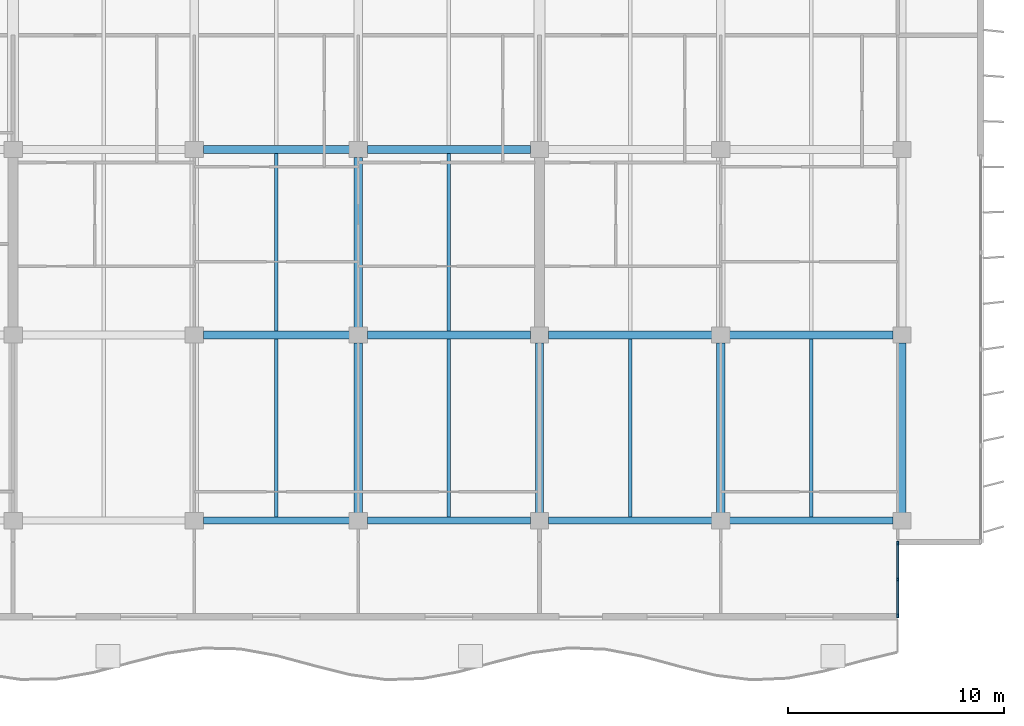
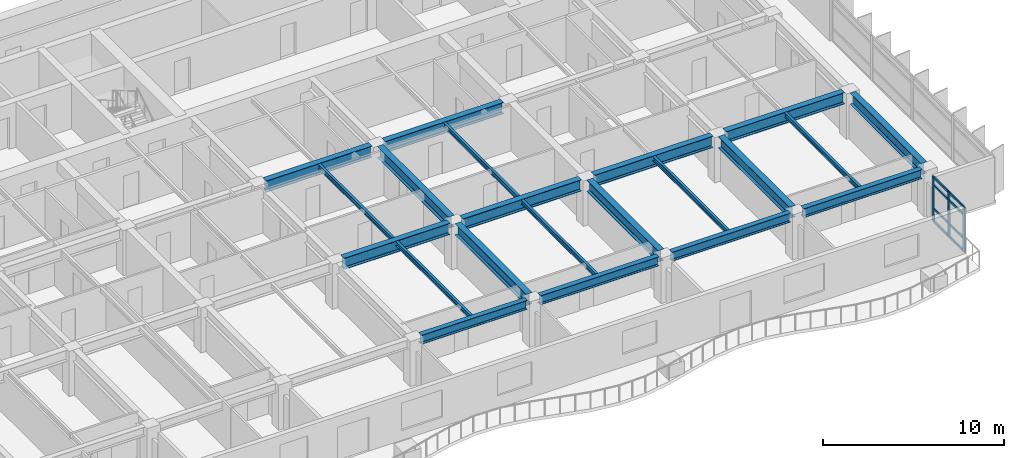
# One storey, part 3 of 16: 21 beams, 11 members, 1 element without a shape of its own.
"""IFC4 building model written with IfcOpenShell, lengths in metres."""

from ifc_helpers import new_model, si_unit, direction, frame, origin, origin_2d, place, context, subcontext, project, spatial, rectangle, i_section, extrude, material, layer, layer_set, material_profile, profile_set, type_object, element, aggregate, save


model = new_model("IFC4")

# Units and contexts
model_context = context("Model", 3, precision=1e-05, world=origin(), true_north=direction((0.0, 1.0)))
body_context = subcontext(model_context, "Body", "Model", "MODEL_VIEW")
ifc_project = project(units=[si_unit("LENGTHUNIT", "METRE"), si_unit("AREAUNIT", "SQUARE_METRE"), si_unit("VOLUMEUNIT", "CUBIC_METRE"), si_unit("PLANEANGLEUNIT", "RADIAN"), si_unit("MASSUNIT", "GRAM", prefix="KILO")], contexts=[model_context])

# Site, building, storey
site_placement = place(None, origin())
site = spatial("IfcSite", under=ifc_project, at=site_placement, CompositionType="ELEMENT")
building_placement = place(site_placement, origin())
building = spatial("IfcBuilding", under=site, at=building_placement, Name="Caelmar Bay Residences", CompositionType="ELEMENT")
storey_placement = place(building_placement, frame((0.0, 0.0, 198.300048828125)))
storey = spatial("IfcBuildingStorey", under=building, at=storey_placement, Name="L55", CompositionType="ELEMENT", Elevation=198.300048828125)

# Beams
ifc_material_1 = material(Name="Steel ASTM A992 Grade 50", Category="steel")
ifc_material_profile_1 = material_profile(ifc_material_1, i_section(OverallWidth=0.381103515625, OverallDepth=0.77197265625, WebThickness=0.0166015625, FlangeThickness=0.027099609375, FilletRadius=0.0166015625, at=origin_2d()), Name="W30X173")
ifc_profile_set_1 = profile_set([ifc_material_profile_1], Name="Steel ASTM A992 Grade 50")
beam_type_1 = type_object("IfcBeamType", Name="BM-GRD-W30X173", PredefinedType="BEAM", material=ifc_profile_set_1)
beam_1_placement = place(storey_placement, frame((35.514892578125, 20.800048828125, 2.6640625), z_axis=(1.0, 0.0, 0.0), x_axis=(0.0, 1.0, 0.0)))
element("IfcBeam", 1, at=beam_1_placement, inside=storey, type_object=beam_type_1, Name="L55 East-West Girder Y=20.80 (35.1-42.7)", PredefinedType="BEAM", context=body_context, shape_type="SweptSolid", body=[
    extrude(i_section(OverallWidth=0.381103515625, OverallDepth=0.77197265625, WebThickness=0.0166015625, FlangeThickness=0.027099609375, FilletRadius=0.0166015625, at=origin_2d()), origin(), (0.0, 0.0, 1.0), 6.77001953125),
])
for number, where, z_axis, x_axis, name in (
    (2, (43.114990234375, 20.800048828125, 2.6640625), (1.0, 0.0, 0.0), (0.0, 1.0, 0.0), "L55 East-West Girder Y=20.80 (42.7-51.1)"),
    (3, (51.514892578125, 20.800048828125, 2.6640625), (1.0, 0.0, 0.0), (0.0, 1.0, 0.0), "L55 East-West Girder Y=20.80 (51.1-59.5)"),
    (4, (59.9150390625, 20.800048828125, 2.6640625), (1.0, 0.0, 0.0), (0.0, 1.0, 0.0), "L55 East-West Girder Y=20.80 (59.5-67.9)"),
):
    element("IfcBeam", number, at=place(storey_placement, frame(where, z_axis=z_axis, x_axis=x_axis)), inside=storey, type_object=beam_type_1, Name=name, PredefinedType="BEAM", context=body_context, shape_type="SweptSolid", body=[
        extrude(i_section(OverallWidth=0.381103515625, OverallDepth=0.77197265625, WebThickness=0.0166015625, FlangeThickness=0.027099609375, FilletRadius=0.0166015625, at=origin_2d()), origin(), (0.0, 0.0, 1.0), 7.570068359375),
    ])
beam_2_placement = place(storey_placement, frame((35.514892578125, 29.39990234375, 2.6640625), z_axis=(1.0, 0.0, 0.0), x_axis=(0.0, 1.0, 0.0)))
element("IfcBeam", 5, at=beam_2_placement, inside=storey, type_object=beam_type_1, Name="L55 East-West Girder Y=29.40 (35.1-42.7)", PredefinedType="BEAM", context=body_context, shape_type="SweptSolid", body=[
    extrude(i_section(OverallWidth=0.381103515625, OverallDepth=0.77197265625, WebThickness=0.0166015625, FlangeThickness=0.027099609375, FilletRadius=0.0166015625, at=origin_2d()), origin(), (0.0, 0.0, 1.0), 6.77001953125),
])
beam_3_placement = place(storey_placement, frame((43.114990234375, 29.39990234375, 2.6640625), z_axis=(1.0, 0.0, 0.0), x_axis=(0.0, 1.0, 0.0)))
element("IfcBeam", 6, at=beam_3_placement, inside=storey, type_object=beam_type_1, Name="L55 East-West Girder Y=29.40 (42.7-51.1)", PredefinedType="BEAM", context=body_context, shape_type="SweptSolid", body=[
    extrude(i_section(OverallWidth=0.381103515625, OverallDepth=0.77197265625, WebThickness=0.0166015625, FlangeThickness=0.027099609375, FilletRadius=0.0166015625, at=origin_2d()), origin(), (0.0, 0.0, 1.0), 7.570068359375),
])
beam_4_placement = place(storey_placement, frame((42.699951171875, 12.56494140625, 2.6640625), z_axis=(0.0, 1.0, 0.0), x_axis=(-1.0, 0.0, 0.0)))
element("IfcBeam", 7, at=beam_4_placement, inside=storey, type_object=beam_type_1, Name="L55 North-South Girder X=42.70 (12.2-20.8)", PredefinedType="BEAM", context=body_context, shape_type="SweptSolid", body=[
    extrude(i_section(OverallWidth=0.381103515625, OverallDepth=0.77197265625, WebThickness=0.0166015625, FlangeThickness=0.027099609375, FilletRadius=0.0166015625, at=origin_2d()), origin(), (0.0, 0.0, 1.0), 7.8701171875),
])
beam_5_placement = place(storey_placement, frame((42.699951171875, 21.1650390625, 2.6640625), z_axis=(0.0, 1.0, 0.0), x_axis=(-1.0, 0.0, 0.0)))
element("IfcBeam", 8, at=beam_5_placement, inside=storey, type_object=beam_type_1, Name="L55 North-South Girder X=42.70 (20.8-29.4)", PredefinedType="BEAM", context=body_context, shape_type="SweptSolid", body=[
    extrude(i_section(OverallWidth=0.381103515625, OverallDepth=0.77197265625, WebThickness=0.0166015625, FlangeThickness=0.027099609375, FilletRadius=0.0166015625, at=origin_2d()), origin(), (0.0, 0.0, 1.0), 7.869873046875),
])
for number, where, z_axis, x_axis, name in (
    (9, (51.10009765625, 12.56494140625, 2.6640625), (0.0, 1.0, 0.0), (-1.0, 0.0, 0.0), "L55 North-South Girder X=51.10 (12.2-20.8)"),
    (10, (59.5, 12.56494140625, 2.6640625), (0.0, 1.0, 0.0), (-1.0, 0.0, 0.0), "L55 North-South Girder X=59.50 (12.2-20.8)"),
    (11, (67.89990234375, 12.56494140625, 2.6640625), (0.0, 1.0, 0.0), (-1.0, 0.0, 0.0), "L55 North-South Girder X=67.90 (12.2-20.8)"),
):
    element("IfcBeam", number, at=place(storey_placement, frame(where, z_axis=z_axis, x_axis=x_axis)), inside=storey, type_object=beam_type_1, Name=name, PredefinedType="BEAM", context=body_context, shape_type="SweptSolid", body=[
        extrude(i_section(OverallWidth=0.381103515625, OverallDepth=0.77197265625, WebThickness=0.0166015625, FlangeThickness=0.027099609375, FilletRadius=0.0166015625, at=origin_2d()), origin(), (0.0, 0.0, 1.0), 7.8701171875),
    ])
ifc_material_profile_2 = material_profile(ifc_material_1, i_section(OverallWidth=0.1650390625, OverallDepth=0.31005859375, WebThickness=0.005859375, FlangeThickness=0.009765625, FilletRadius=0.007568359375, at=origin_2d()), Name="W12X26")
ifc_profile_set_2 = profile_set([ifc_material_profile_2], Name="Steel ASTM A992 Grade 50")
beam_type_2 = type_object("IfcBeamType", Name="BM-JST-W12X26", PredefinedType="JOIST", material=ifc_profile_set_2)
for number, where, z_axis, x_axis, name in (
    (12, (38.89990234375, 12.362548828125, 2.89501953125), (0.0, 1.0, 0.0), (-1.0, 0.0, 0.0), "L55 Composite Floor Joist 4"),
    (13, (46.89990234375, 12.362548828125, 2.89501953125), (0.0, 1.0, 0.0), (-1.0, 0.0, 0.0), "L55 Composite Floor Joist 5"),
    (14, (55.300048828125, 12.362548828125, 2.89501953125), (0.0, 1.0, 0.0), (-1.0, 0.0, 0.0), "L55 Composite Floor Joist 6"),
    (15, (63.699951171875, 12.362548828125, 2.89501953125), (0.0, 1.0, 0.0), (-1.0, 0.0, 0.0), "L55 Composite Floor Joist 7"),
):
    element("IfcBeam", number, at=place(storey_placement, frame(where, z_axis=z_axis, x_axis=x_axis)), inside=storey, type_object=beam_type_2, Name=name, PredefinedType="JOIST", context=body_context, shape_type="SweptSolid", body=[
        extrude(i_section(OverallWidth=0.1650390625, OverallDepth=0.31005859375, WebThickness=0.005859375, FlangeThickness=0.009765625, FilletRadius=0.007568359375, at=origin_2d()), origin(), (0.0, 0.0, 1.0), 8.2470703125),
    ])
for number, where, z_axis, x_axis, name in (
    (16, (38.89990234375, 20.990478515625, 2.89501953125), (0.0, 1.0, 0.0), (-1.0, 0.0, 0.0), "L55 Composite Floor Joist 11"),
    (17, (46.89990234375, 20.990478515625, 2.89501953125), (0.0, 1.0, 0.0), (-1.0, 0.0, 0.0), "L55 Composite Floor Joist 12"),
):
    element("IfcBeam", number, at=place(storey_placement, frame(where, z_axis=z_axis, x_axis=x_axis)), inside=storey, type_object=beam_type_2, Name=name, PredefinedType="JOIST", context=body_context, shape_type="SweptSolid", body=[
        extrude(i_section(OverallWidth=0.1650390625, OverallDepth=0.31005859375, WebThickness=0.005859375, FlangeThickness=0.009765625, FilletRadius=0.007568359375, at=origin_2d()), origin(), (0.0, 0.0, 1.0), 8.218994140625),
    ])
ifc_material_profile_3 = material_profile(ifc_material_1, i_section(OverallWidth=0.324951171875, OverallDepth=0.616943359375, WebThickness=0.013916015625, FlangeThickness=0.021484375, FilletRadius=0.0126953125, at=origin_2d()), Name="W24X117")
ifc_profile_set_3 = profile_set([ifc_material_profile_3], Name="Steel ASTM A992 Grade 50")
beam_type_3 = type_object("IfcBeamType", Name="BM-SPN-W24X117", PredefinedType="SPANDREL", material=ifc_profile_set_3)
beam_6_placement = place(storey_placement, frame((35.514892578125, 12.199951171875, 2.741455078125), z_axis=(1.0, 0.0, 0.0), x_axis=(0.0, 1.0, 0.0)))
element("IfcBeam", 18, at=beam_6_placement, inside=storey, type_object=beam_type_3, Name="L55 East-West Girder Y=12.20 (35.1-42.7)", PredefinedType="SPANDREL", context=body_context, shape_type="SweptSolid", body=[
    extrude(i_section(OverallWidth=0.324951171875, OverallDepth=0.616943359375, WebThickness=0.013916015625, FlangeThickness=0.021484375, FilletRadius=0.0126953125, at=origin_2d()), origin(), (0.0, 0.0, 1.0), 6.77001953125),
])
for number, where, z_axis, x_axis, name in (
    (19, (43.114990234375, 12.199951171875, 2.741455078125), (1.0, 0.0, 0.0), (0.0, 1.0, 0.0), "L55 East-West Girder Y=12.20 (42.7-51.1)"),
    (20, (51.514892578125, 12.199951171875, 2.741455078125), (1.0, 0.0, 0.0), (0.0, 1.0, 0.0), "L55 East-West Girder Y=12.20 (51.1-59.5)"),
    (21, (59.9150390625, 12.199951171875, 2.741455078125), (1.0, 0.0, 0.0), (0.0, 1.0, 0.0), "L55 East-West Girder Y=12.20 (59.5-67.9)"),
):
    element("IfcBeam", number, at=place(storey_placement, frame(where, z_axis=z_axis, x_axis=x_axis)), inside=storey, type_object=beam_type_3, Name=name, PredefinedType="SPANDREL", context=body_context, shape_type="SweptSolid", body=[
        extrude(i_section(OverallWidth=0.324951171875, OverallDepth=0.616943359375, WebThickness=0.013916015625, FlangeThickness=0.021484375, FilletRadius=0.0126953125, at=origin_2d()), origin(), (0.0, 0.0, 1.0), 7.570068359375),
    ])

# Curtain wall, members
ifc_material_2 = material(Name="Anodised bronze aluminium 6063-T6 and laminated glass", Category="aluminium")
ifc_layer = layer(ifc_material_2, 0.179931640625)
ifc_layer_set = layer_set([ifc_layer], Name="Anodised bronze aluminium 6063-T6 and laminated glass")
curtain_wall_type = type_object("IfcCurtainWallType", Name="CW6-NTC", PredefinedType="NOTDEFINED", material=ifc_layer_set)
curtain_wall_placement = place(storey_placement, origin())
curtain_wall = element("IfcCurtainWall", 22, at=curtain_wall_placement, inside=storey, type_object=curtain_wall_type, Name="CW6 curtain wall L55", PredefinedType="NOTDEFINED")
ifc_material_3 = material(Name="Anodised bronze aluminium 6063-T6", Category="aluminium")
ifc_material_profile_4 = material_profile(ifc_material_3, rectangle(XDim=0.080078125, YDim=0.179931640625, at=origin_2d()), Name="CWM-80X180")
ifc_profile_set_4 = profile_set([ifc_material_profile_4], Name="Anodised bronze aluminium 6063-T6")
member_type_1 = type_object("IfcMemberType", Name="CWM-180", PredefinedType="MULLION", material=ifc_profile_set_4)
member_1_placement = place(storey_placement, frame((67.699951171875, 7.7900390625, 0.0), z_axis=(0.0, 0.0, 1.0), x_axis=(-1.0, 0.0, 0.0)))
member_1 = element("IfcMember", 23, at=member_1_placement, type_object=member_type_1, Name="CW6 mullion 1", PredefinedType="MULLION", context=body_context, shape_type="SweptSolid", body=[
    extrude(rectangle(XDim=0.080078125, YDim=0.179931640625, at=origin_2d()), origin(), (0.0, 0.0, 1.0), 3.050048828125),
])
member_2_placement = place(storey_placement, frame((67.699951171875, 9.47509765625, 0.0), z_axis=(0.0, 0.0, 1.0), x_axis=(-1.0, 0.0, 0.0)))
member_2 = element("IfcMember", 24, at=member_2_placement, type_object=member_type_1, Name="CW6 mullion 2", PredefinedType="MULLION", context=body_context, shape_type="SweptSolid", body=[
    extrude(rectangle(XDim=0.080078125, YDim=0.179931640625, at=origin_2d()), origin(), (0.0, 0.0, 1.0), 3.050048828125),
])
member_3_placement = place(storey_placement, frame((67.699951171875, 11.159912109375, 0.0), z_axis=(0.0, 0.0, 1.0), x_axis=(-1.0, 0.0, 0.0)))
member_3 = element("IfcMember", 25, at=member_3_placement, type_object=member_type_1, Name="CW6 mullion 3", PredefinedType="MULLION", context=body_context, shape_type="SweptSolid", body=[
    extrude(rectangle(XDim=0.080078125, YDim=0.179931640625, at=origin_2d()), origin(), (0.0, 0.0, 1.0), 3.050048828125),
])
ifc_material_profile_5 = material_profile(ifc_material_3, rectangle(XDim=0.080078125, YDim=0.139892578125, at=origin_2d()), Name="CWT-80X140")
ifc_profile_set_5 = profile_set([ifc_material_profile_5], Name="Anodised bronze aluminium 6063-T6")
member_type_2 = type_object("IfcMemberType", Name="CWT-140", PredefinedType="NOTDEFINED", material=ifc_profile_set_5)
member_4_placement = place(storey_placement, frame((67.699951171875, 7.830078125, 0.0400390625), z_axis=(0.0, 1.0, 0.0), x_axis=(-1.0, 0.0, 0.0)))
member_4 = element("IfcMember", 26, at=member_4_placement, type_object=member_type_2, Name="CW6 transom 1.1", ObjectType="TRANSOM", PredefinedType="USERDEFINED", context=body_context, shape_type="SweptSolid", body=[
    extrude(rectangle(XDim=0.080078125, YDim=0.139892578125, at=origin_2d()), origin(), (0.0, 0.0, 1.0), 1.60498046875),
])
member_5_placement = place(storey_placement, frame((67.699951171875, 7.830078125, 0.89990234375), z_axis=(0.0, 1.0, 0.0), x_axis=(-1.0, 0.0, 0.0)))
member_5 = element("IfcMember", 27, at=member_5_placement, type_object=member_type_2, Name="CW6 transom 1.2", ObjectType="TRANSOM", PredefinedType="USERDEFINED", context=body_context, shape_type="SweptSolid", body=[
    extrude(rectangle(XDim=0.080078125, YDim=0.139892578125, at=origin_2d()), origin(), (0.0, 0.0, 1.0), 1.60498046875),
])
member_6_placement = place(storey_placement, frame((67.699951171875, 7.830078125, 2.5), z_axis=(0.0, 1.0, 0.0), x_axis=(-1.0, 0.0, 0.0)))
member_6 = element("IfcMember", 28, at=member_6_placement, type_object=member_type_2, Name="CW6 transom 1.3", ObjectType="TRANSOM", PredefinedType="USERDEFINED", context=body_context, shape_type="SweptSolid", body=[
    extrude(rectangle(XDim=0.080078125, YDim=0.139892578125, at=origin_2d()), origin(), (0.0, 0.0, 1.0), 1.60498046875),
])
member_7_placement = place(storey_placement, frame((67.699951171875, 7.830078125, 3.010009765625), z_axis=(0.0, 1.0, 0.0), x_axis=(-1.0, 0.0, 0.0)))
member_7 = element("IfcMember", 29, at=member_7_placement, type_object=member_type_2, Name="CW6 transom 1.4", ObjectType="TRANSOM", PredefinedType="USERDEFINED", context=body_context, shape_type="SweptSolid", body=[
    extrude(rectangle(XDim=0.080078125, YDim=0.139892578125, at=origin_2d()), origin(), (0.0, 0.0, 1.0), 1.60498046875),
])
member_8_placement = place(storey_placement, frame((67.699951171875, 9.514892578125, 0.0400390625), z_axis=(0.0, 1.0, 0.0), x_axis=(-1.0, 0.0, 0.0)))
member_8 = element("IfcMember", 30, at=member_8_placement, type_object=member_type_2, Name="CW6 transom 2.1", ObjectType="TRANSOM", PredefinedType="USERDEFINED", context=body_context, shape_type="SweptSolid", body=[
    extrude(rectangle(XDim=0.080078125, YDim=0.139892578125, at=origin_2d()), origin(), (0.0, 0.0, 1.0), 1.605224609375),
])
member_9_placement = place(storey_placement, frame((67.699951171875, 9.514892578125, 0.89990234375), z_axis=(0.0, 1.0, 0.0), x_axis=(-1.0, 0.0, 0.0)))
member_9 = element("IfcMember", 31, at=member_9_placement, type_object=member_type_2, Name="CW6 transom 2.2", ObjectType="TRANSOM", PredefinedType="USERDEFINED", context=body_context, shape_type="SweptSolid", body=[
    extrude(rectangle(XDim=0.080078125, YDim=0.139892578125, at=origin_2d()), origin(), (0.0, 0.0, 1.0), 1.605224609375),
])
member_10_placement = place(storey_placement, frame((67.699951171875, 9.514892578125, 2.5), z_axis=(0.0, 1.0, 0.0), x_axis=(-1.0, 0.0, 0.0)))
member_10 = element("IfcMember", 32, at=member_10_placement, type_object=member_type_2, Name="CW6 transom 2.3", ObjectType="TRANSOM", PredefinedType="USERDEFINED", context=body_context, shape_type="SweptSolid", body=[
    extrude(rectangle(XDim=0.080078125, YDim=0.139892578125, at=origin_2d()), origin(), (0.0, 0.0, 1.0), 1.605224609375),
])
member_11_placement = place(storey_placement, frame((67.699951171875, 9.514892578125, 3.010009765625), z_axis=(0.0, 1.0, 0.0), x_axis=(-1.0, 0.0, 0.0)))
member_11 = element("IfcMember", 33, at=member_11_placement, type_object=member_type_2, Name="CW6 transom 2.4", ObjectType="TRANSOM", PredefinedType="USERDEFINED", context=body_context, shape_type="SweptSolid", body=[
    extrude(rectangle(XDim=0.080078125, YDim=0.139892578125, at=origin_2d()), origin(), (0.0, 0.0, 1.0), 1.605224609375),
])
aggregate(curtain_wall, [member_1, member_2, member_3, member_4, member_5, member_6, member_7, member_8, member_9, member_10, member_11])

save(model, "model.ifc")
